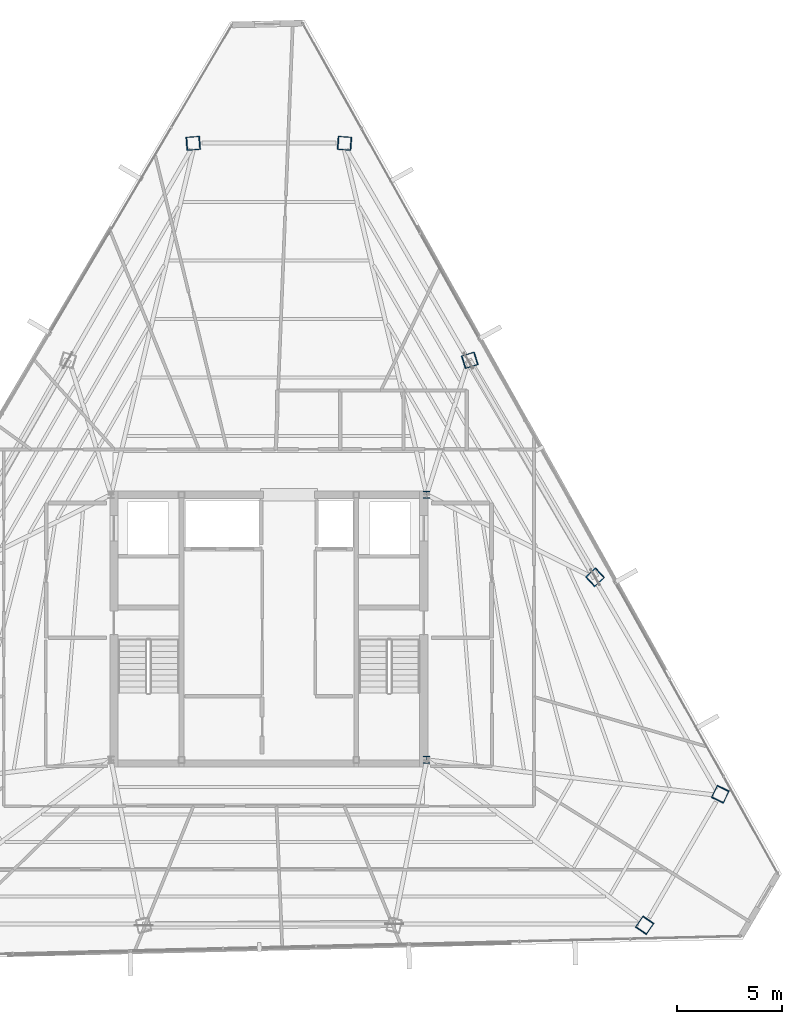
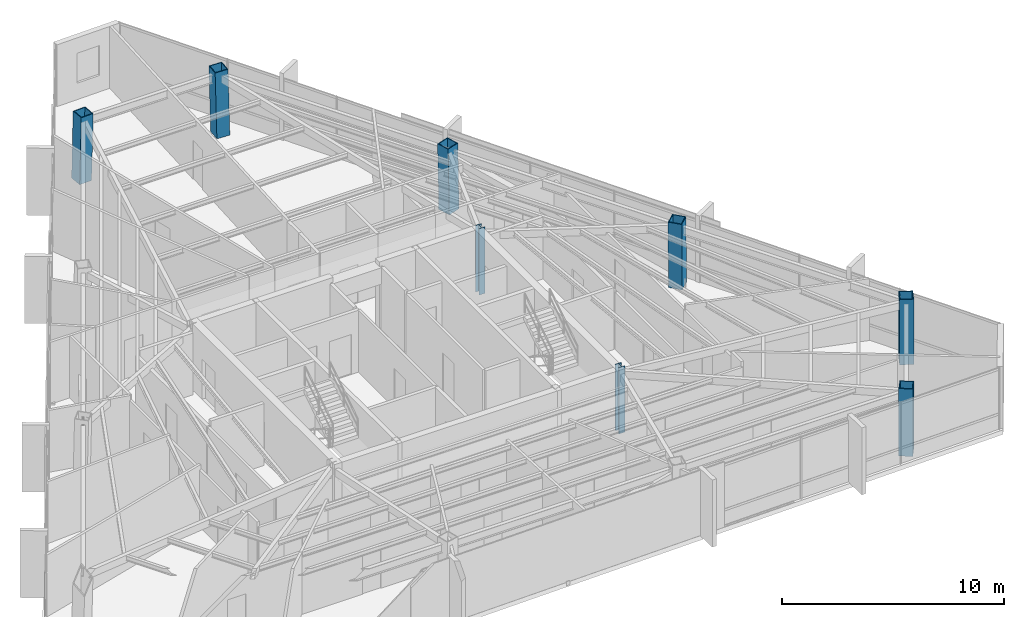
# One storey, part 2 of 45: 8 columns.
"""IFC4 building model written with IfcOpenShell, lengths in metres."""

from ifc_helpers import new_model, si_unit, direction, frame, origin, origin_2d, place, context, subcontext, project, spatial, hollow_rectangle, i_section, extrude, source, transform, mapped, material, material_profile, profile_set, type_object, type_shapes, element, save


model = new_model("IFC4")

# Units and contexts
model_context = context("Model", 3, precision=1e-05, world=origin(), true_north=direction((0.0, 1.0)))
body_context = subcontext(model_context, "Body", "Model", "MODEL_VIEW")
ifc_project = project(units=[si_unit("LENGTHUNIT", "METRE"), si_unit("AREAUNIT", "SQUARE_METRE"), si_unit("VOLUMEUNIT", "CUBIC_METRE"), si_unit("PLANEANGLEUNIT", "RADIAN"), si_unit("MASSUNIT", "GRAM", prefix="KILO")], contexts=[model_context])

# Site, building, storey
site_placement = place(None, origin())
site = spatial("IfcSite", under=ifc_project, at=site_placement, CompositionType="ELEMENT")
building_placement = place(site_placement, origin())
building = spatial("IfcBuilding", under=site, at=building_placement, Name="Caelisora Broadcast Tower", CompositionType="ELEMENT")
storey_placement = place(building_placement, frame((0.0, 0.0, 266.35009765625)))
storey = spatial("IfcBuildingStorey", under=building, at=storey_placement, Name="L70", CompositionType="ELEMENT", Elevation=266.35009765625)

# Columns
ifc_material_1 = material(Name="Steel Grade 350 (AS/NZS 3679.1)", Category="steel")
ifc_material_profile_1 = material_profile(ifc_material_1, i_section(OverallWidth=0.31103515625, OverallDepth=0.3271484375, WebThickness=0.015625, FlangeThickness=0.02490234375, at=origin_2d()), Name="Steel Grade 350 (AS/NZS 3679.1)")
ifc_profile_set_1 = profile_set([ifc_material_profile_1], Name="Steel Grade 350 (AS/NZS 3679.1)")
column_type_1 = type_object("IfcColumnType", Name="CC03", PredefinedType="COLUMN", material=ifc_profile_set_1)
shared_shape_1 = source(origin(), body_context, "Body", "SweptSolid", [
    extrude(i_section(OverallWidth=0.31103515625, OverallDepth=0.3271484375, WebThickness=0.015625, FlangeThickness=0.02490234375, at=origin_2d()), origin(), (0.0, 0.0, 1.0), 3.64990234375),
])
type_shapes(column_type_1, [shared_shape_1])
for number, where, z_axis, x_axis, name in (
    (1, (45.5, 17.39990234375, 0.0), (0.0, 0.0, 1.0), (1.0, 0.0, 0.0), "L70 column CC03"),
    (2, (45.5, 30.0, 0.0), (0.0, 0.0, 1.0), (1.0, 0.0, 0.0), "L70 column CC03"),
):
    element("IfcColumn", number, at=place(storey_placement, frame(where, z_axis=z_axis, x_axis=x_axis)), inside=storey, type_object=column_type_1, Name=name, PredefinedType="COLUMN", context=body_context, shape_type="MappedRepresentation", body=[
        mapped(shared_shape_1, transform((0.0, 0.0, 0.0), scale=1.0)),
    ])
ifc_material_2 = material(Name="Steel Grade 350 L15 (AS/NZS 3678)", Category="steel")
ifc_material_profile_2 = material_profile(ifc_material_2, hollow_rectangle(XDim=0.64990234375, YDim=0.64990234375, WallThickness=0.0400390625, at=origin_2d()), Name="Steel Grade 350 L15 (AS/NZS 3678)")
ifc_profile_set_2 = profile_set([ifc_material_profile_2], Name="Steel Grade 350 L15 (AS/NZS 3678)")
column_type_2 = type_object("IfcColumnType", Name="MC06", PredefinedType="COLUMN", material=ifc_profile_set_2)
shared_shape_2 = source(origin(), body_context, "Body", "SweptSolid", [
    extrude(hollow_rectangle(XDim=0.64990234375, YDim=0.64990234375, WallThickness=0.0400390625, at=origin_2d()), origin(), (0.0, 0.0, 1.0), 3.65087890625),
])
for number, where, z_axis, x_axis, name in (
    (3, (41.6083984375, 46.692138671875, 0.0), (-0.023939589194, 0.001738629383, 0.999711895116), (-0.072434920849, -0.997373140926, 0.0), "L70 column MC06"),
    (4, (34.3916015625, 46.692138671875, 0.0), (0.023939589194, 0.001738629383, 0.999711895116), (-0.072434920849, 0.997373140926, 0.0), "L70 column MC06"),
    (5, (55.847900390625, 9.529052734375, 0.0), (0.013440967269, 0.019793663242, 0.999713734673), (-0.827290216258, 0.561774775229, 0.0), "L70 column MC06"),
    (6, (59.456298828125, 15.77880859375, 0.0), (-0.010431795422, -0.021532295679, 0.999713727968), (0.899947055326, -0.435999194506, 0.0), "L70 column MC06"),
):
    element("IfcColumn", number, at=place(storey_placement, frame(where, z_axis=z_axis, x_axis=x_axis)), inside=storey, type_object=column_type_2, Name=name, PredefinedType="COLUMN", context=body_context, shape_type="MappedRepresentation", body=[
        mapped(shared_shape_2, transform((0.0, 0.0, 0.0), scale=1.0)),
    ])
shared_shape_3 = source(origin(), body_context, "Body", "SweptSolid", [
    extrude(hollow_rectangle(XDim=0.64990234375, YDim=0.64990234375, WallThickness=0.0400390625, at=origin_2d()), origin(), (0.0, 0.0, 1.0), 3.650634765625),
])
type_shapes(column_type_2, [shared_shape_2, shared_shape_3])
for number, where, z_axis, x_axis, name in (
    (7, (53.5068359375, 26.083251953125, 0.0), (-0.014913313399, -0.013776424037, 0.999793880369), (0.678553674548, -0.734550822447, 0.0), "L70 column MC06"),
    (8, (47.5576171875, 36.3876953125, 0.0), (-0.019393993486, -0.006018825565, 0.999793802119), (0.296399214872, -0.955064136811, 0.0), "L70 column MC06"),
):
    element("IfcColumn", number, at=place(storey_placement, frame(where, z_axis=z_axis, x_axis=x_axis)), inside=storey, type_object=column_type_2, Name=name, PredefinedType="COLUMN", context=body_context, shape_type="MappedRepresentation", body=[
        mapped(shared_shape_3, transform((0.0, 0.0, 0.0), scale=1.0)),
    ])

save(model, "model.ifc")
